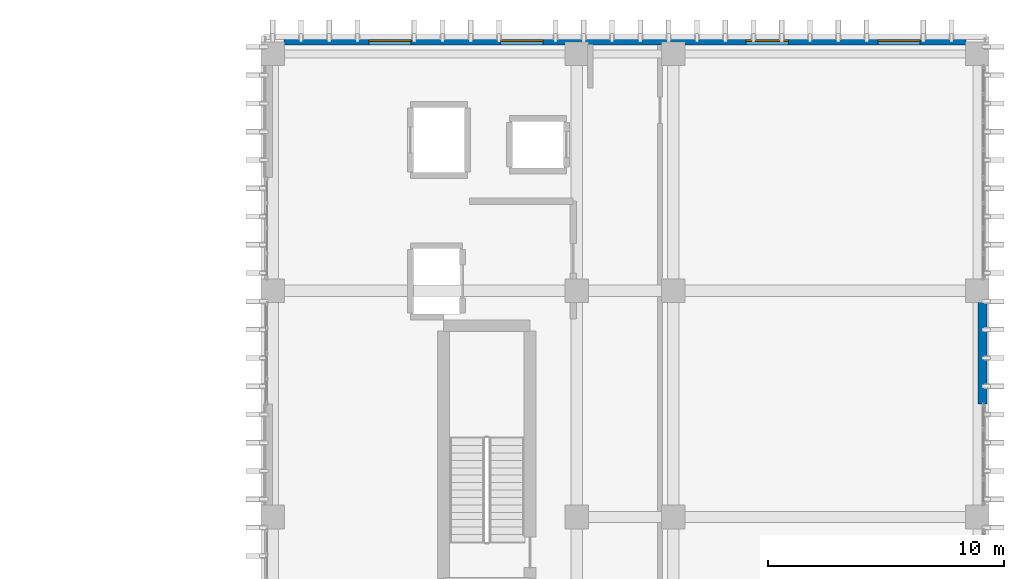
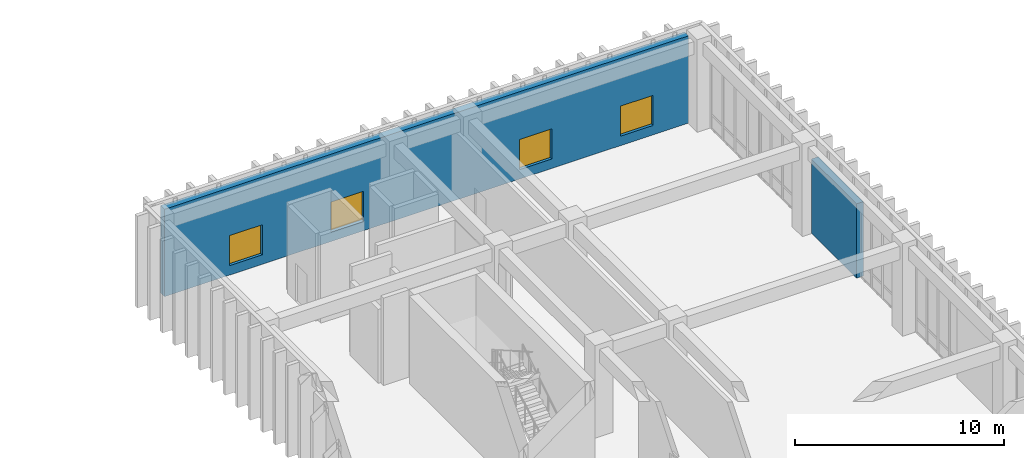
# One storey, part 109 of 134: 4 windows, 2 walls, 4 openings.
"""IFC4 building model written with IfcOpenShell, lengths in metres."""

from ifc_helpers import new_model, si_unit, direction, frame, frame_2d, origin, place, context, subcontext, project, spatial, rectangle, extrude, material, layer, layer_set, type_object, element, fill, save


model = new_model("IFC4")

# Units and contexts
model_context = context("Model", 3, precision=1e-05, world=origin(), true_north=direction((0.0, 1.0)))
body_context = subcontext(model_context, "Body", "Model", "MODEL_VIEW")
ifc_project = project(units=[si_unit("LENGTHUNIT", "METRE"), si_unit("AREAUNIT", "SQUARE_METRE"), si_unit("VOLUMEUNIT", "CUBIC_METRE"), si_unit("PLANEANGLEUNIT", "RADIAN"), si_unit("MASSUNIT", "GRAM", prefix="KILO")], contexts=[model_context])

# Site, building, storey
site_placement = place(None, origin())
site = spatial("IfcSite", under=ifc_project, at=site_placement, CompositionType="ELEMENT")
building_placement = place(site_placement, origin())
building = spatial("IfcBuilding", under=site, at=building_placement, Name="Nakhvara Creek Congress Hotel", CompositionType="ELEMENT")
storey_placement = place(building_placement, frame((0.0, 0.0, 6.0)))
storey = spatial("IfcBuildingStorey", under=building, at=storey_placement, Name="L01", CompositionType="ELEMENT", Elevation=6.0)

# Wall, openings, windows
ifc_material_1 = material(Name="Honed pale Omani limestone cladding", Category="masonry")
ifc_layer_1 = layer(ifc_material_1, 0.050048828125)
ifc_material_2 = material(Name="Mineral wool thermal insulation")
ifc_layer_2 = layer(ifc_material_2, 0.110107421875)
ifc_material_3 = material(Name="Precast concrete C40/50", Category="concrete")
ifc_layer_3 = layer(ifc_material_3, 0.219970703125)
ifc_layer_set = layer_set([ifc_layer_1, ifc_layer_2, ifc_layer_3], Name="Precast concrete C40/50")
wall_type = type_object("IfcWallType", Name="W-EXT-380", PredefinedType="SOLIDWALL", material=ifc_layer_set)
wall_1_placement = place(storey_placement, frame((149.925048828125, 125.81005859375, 0.0), z_axis=(0.0, 0.0, 1.0), x_axis=(1.0, 0.0, 0.0)))
wall_1 = element("IfcWall", 1, at=wall_1_placement, inside=storey, type_object=wall_type, Name="Exterior Wall WE03-EW-L01-0095", PredefinedType="SOLIDWALL", context=body_context, shape_type="SweptSolid", body=[
    extrude(rectangle(XDim=28.949951171875, YDim=0.3798828125, at=frame_2d((14.47509765625, 0.0))), origin(), (0.0, 0.0, 1.0), 5.10009765625),
])
opening_1_placement = place(wall_1_placement, frame((3.60009765625, 0.0, 0.550048828125)))
opening_1 = element("IfcOpeningElement", 2, at=opening_1_placement, cuts=wall_1, Name="Opening WN0105", PredefinedType="OPENING", context=body_context, shape_type="SweptSolid", body=[
    extrude(rectangle(XDim=1.800048828125, YDim=1.760009765625, at=frame_2d((0.89990234375, 0.8798828125))), frame((0.0, 0.201904296875, 0.0), z_axis=(0.0, -1.0, 0.0), x_axis=(1.0, 0.0, 0.0)), (0.0, 0.0, 1.0), 0.40380859375),
])
opening_2_placement = place(wall_1_placement, frame((9.199951171875, 0.0, 0.550048828125)))
opening_2 = element("IfcOpeningElement", 3, at=opening_2_placement, cuts=wall_1, Name="Opening WN0106", PredefinedType="OPENING", context=body_context, shape_type="SweptSolid", body=[
    extrude(rectangle(XDim=1.800048828125, YDim=1.760009765625, at=frame_2d((0.89990234375, 0.8798828125))), frame((0.0, 0.201904296875, 0.0), z_axis=(0.0, -1.0, 0.0), x_axis=(1.0, 0.0, 0.0)), (0.0, 0.0, 1.0), 0.40380859375),
])
opening_3_placement = place(wall_1_placement, frame((19.60009765625, 0.0, 0.550048828125)))
opening_3 = element("IfcOpeningElement", 4, at=opening_3_placement, cuts=wall_1, Name="Opening WN0107", PredefinedType="OPENING", context=body_context, shape_type="SweptSolid", body=[
    extrude(rectangle(XDim=1.800048828125, YDim=1.760009765625, at=frame_2d((0.89990234375, 0.8798828125))), frame((0.0, 0.201904296875, 0.0), z_axis=(0.0, -1.0, 0.0), x_axis=(1.0, 0.0, 0.0)), (0.0, 0.0, 1.0), 0.40380859375),
])
opening_4_placement = place(wall_1_placement, frame((25.199951171875, 0.0, 0.550048828125)))
opening_4 = element("IfcOpeningElement", 5, at=opening_4_placement, cuts=wall_1, Name="Opening WN0108", PredefinedType="OPENING", context=body_context, shape_type="SweptSolid", body=[
    extrude(rectangle(XDim=1.800048828125, YDim=1.760009765625, at=frame_2d((0.89990234375, 0.8798828125))), frame((0.0, 0.201904296875, 0.0), z_axis=(0.0, -1.0, 0.0), x_axis=(1.0, 0.0, 0.0)), (0.0, 0.0, 1.0), 0.40380859375),
])
ifc_material_4 = material(Name="Thermally broken bronze-anodised aluminium and double-silver low-E insulated glass", Category="aluminium")
window_type = type_object("IfcWindowType", Name="WN-LAN-180X225", PartitioningType="SINGLE_PANEL", PredefinedType="WINDOW", material=ifc_material_4)
window_1_placement = place(opening_1_placement, origin())
window_1 = element("IfcWindow", 6, at=window_1_placement, inside=storey, type_object=window_type, Name="Facade Window WN0105", OverallHeight=1.760009765625, OverallWidth=1.800048828125, PartitioningType="SINGLE_PANEL", PredefinedType="WINDOW", context=body_context, shape_type="SweptSolid", body=[
    extrude(rectangle(XDim=1.800048828125, YDim=1.760009765625, at=frame_2d((0.89990234375, 0.8798828125))), frame((0.0, 0.030029296875, 0.0), z_axis=(0.0, -1.0, 0.0), x_axis=(1.0, 0.0, 0.0)), (0.0, 0.0, 1.0), 0.06005859375),
])
fill(opening_1, window_1)
window_2_placement = place(opening_2_placement, origin())
window_2 = element("IfcWindow", 7, at=window_2_placement, inside=storey, type_object=window_type, Name="Facade Window WN0106", OverallHeight=1.760009765625, OverallWidth=1.800048828125, PartitioningType="SINGLE_PANEL", PredefinedType="WINDOW", context=body_context, shape_type="SweptSolid", body=[
    extrude(rectangle(XDim=1.800048828125, YDim=1.760009765625, at=frame_2d((0.89990234375, 0.8798828125))), frame((0.0, 0.030029296875, 0.0), z_axis=(0.0, -1.0, 0.0), x_axis=(1.0, 0.0, 0.0)), (0.0, 0.0, 1.0), 0.06005859375),
])
fill(opening_2, window_2)
window_3_placement = place(opening_3_placement, origin())
window_3 = element("IfcWindow", 8, at=window_3_placement, inside=storey, type_object=window_type, Name="Facade Window WN0107", OverallHeight=1.760009765625, OverallWidth=1.800048828125, PartitioningType="SINGLE_PANEL", PredefinedType="WINDOW", context=body_context, shape_type="SweptSolid", body=[
    extrude(rectangle(XDim=1.800048828125, YDim=1.760009765625, at=frame_2d((0.89990234375, 0.8798828125))), frame((0.0, 0.030029296875, 0.0), z_axis=(0.0, -1.0, 0.0), x_axis=(1.0, 0.0, 0.0)), (0.0, 0.0, 1.0), 0.06005859375),
])
fill(opening_3, window_3)
window_4_placement = place(opening_4_placement, origin())
window_4 = element("IfcWindow", 9, at=window_4_placement, inside=storey, type_object=window_type, Name="Facade Window WN0108", OverallHeight=1.760009765625, OverallWidth=1.800048828125, PartitioningType="SINGLE_PANEL", PredefinedType="WINDOW", context=body_context, shape_type="SweptSolid", body=[
    extrude(rectangle(XDim=1.800048828125, YDim=1.760009765625, at=frame_2d((0.89990234375, 0.8798828125))), frame((0.0, 0.030029296875, 0.0), z_axis=(0.0, -1.0, 0.0), x_axis=(1.0, 0.0, 0.0)), (0.0, 0.0, 1.0), 0.06005859375),
])
fill(opening_4, window_4)

# Wall
wall_2_placement = place(storey_placement, frame((179.56005859375, 114.72509765625, 0.0), z_axis=(0.0, 0.0, 1.0), x_axis=(0.0, -1.0, 0.0)))
element("IfcWall", 10, at=wall_2_placement, inside=storey, type_object=wall_type, Name="Exterior Wall WE03-EW-L01-0105", PredefinedType="SOLIDWALL", context=body_context, shape_type="SweptSolid", body=[
    extrude(rectangle(XDim=4.3251953125, YDim=0.3798828125, at=frame_2d((2.16259765625, 0.0))), origin(), (0.0, 0.0, 1.0), 4.342041015625),
])

save(model, "model.ifc")
